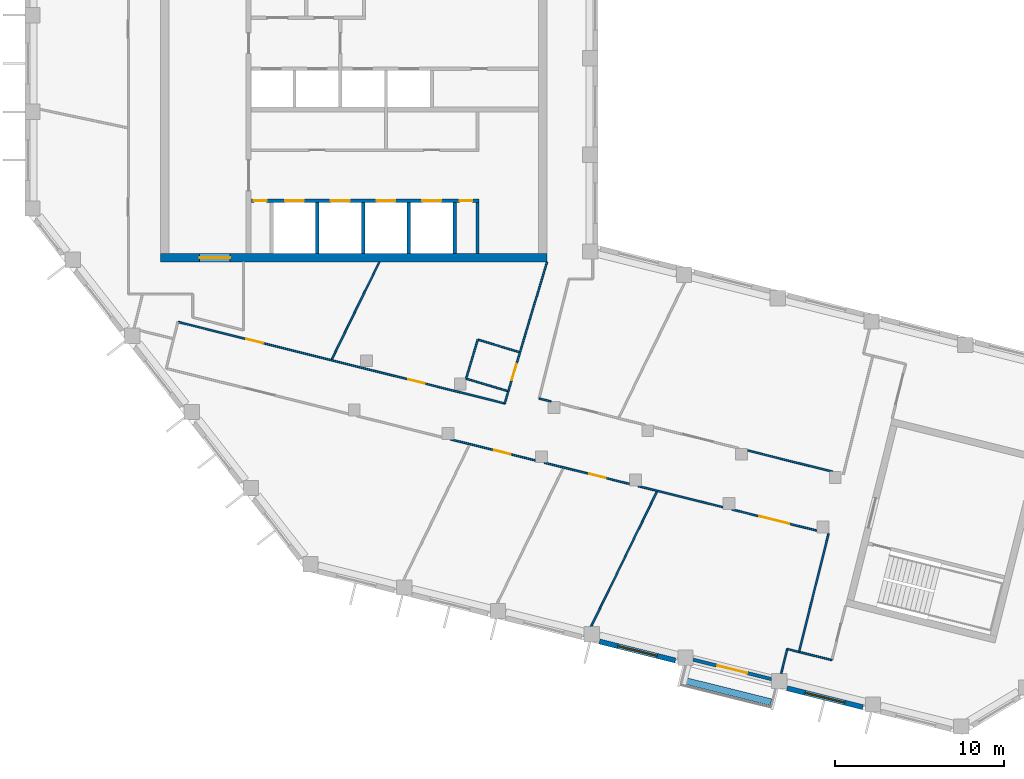
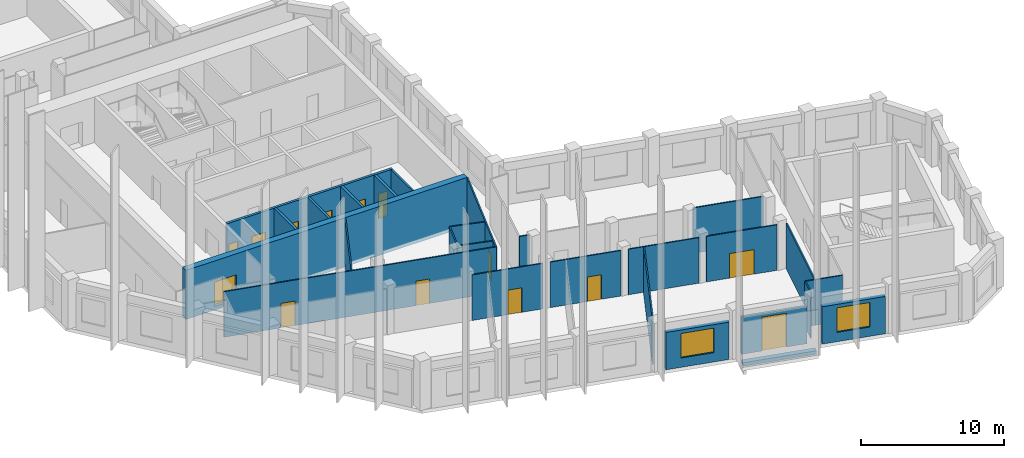
# One storey, part 3 of 8: 28 walls, 14 doors, 2 windows, 16 openings.
"""IFC4 building model written with IfcOpenShell, lengths in metres."""

from ifc_helpers import new_model, si_unit, direction, frame, frame_2d, origin, place, context, subcontext, project, spatial, rectangle, extrude, material, layer, layer_set, type_object, element, fill, save


model = new_model("IFC4")

# Units and contexts
model_context = context("Model", 3, precision=1e-05, world=origin(), true_north=direction((0.0, 1.0)))
body_context = subcontext(model_context, "Body", "Model", "MODEL_VIEW")
ifc_project = project(units=[si_unit("LENGTHUNIT", "METRE"), si_unit("AREAUNIT", "SQUARE_METRE"), si_unit("VOLUMEUNIT", "CUBIC_METRE"), si_unit("PLANEANGLEUNIT", "RADIAN"), si_unit("MASSUNIT", "GRAM", prefix="KILO")], contexts=[model_context])

# Site, building, storey
site_placement = place(None, origin())
site = spatial("IfcSite", under=ifc_project, at=site_placement, CompositionType="ELEMENT")
building_placement = place(site_placement, origin())
building = spatial("IfcBuilding", under=site, at=building_placement, Name="Meshkara Civic Tower", CompositionType="ELEMENT")
storey_placement = place(building_placement, frame((0.0, 0.0, 370.800048828125)))
storey = spatial("IfcBuildingStorey", under=building, at=storey_placement, Name="L85", CompositionType="ELEMENT", Elevation=370.800048828125)

# Wall
ifc_material_1 = material(Name="Blockwork", Category="masonry")
ifc_layer_1 = layer(ifc_material_1, 0.14990234375)
ifc_layer_set_1 = layer_set([ifc_layer_1], Name="Core partition 150")
wall_type_1 = type_object("IfcWallType", Name="Core partition 150", PredefinedType="PARTITIONING", material=ifc_layer_set_1)
wall_1_placement = place(storey_placement, frame((26.699951171875, 14.60009765625, 0.0), z_axis=(0.0, 0.0, 1.0), x_axis=(0.0, 1.0, 0.0)))
element("IfcWall", 1, at=wall_1_placement, inside=storey, type_object=wall_type_1, Name="L85-C025", PredefinedType="PARTITIONING", context=body_context, shape_type="SweptSolid", body=[
    extrude(rectangle(XDim=3.0, YDim=0.14990234375, at=frame_2d((1.5, 0.0))), origin(), (0.0, 0.0, 1.0), 3.89990234375),
])

# Wall, opening, door
ifc_material_2 = material(Name="Concrete C50", Category="concrete")
ifc_layer_2 = layer(ifc_material_2, 0.5)
ifc_layer_set_2 = layer_set([ifc_layer_2], Name="Core ring wall 500 C50")
wall_type_2 = type_object("IfcWallType", Name="Core ring wall 500 C50", PredefinedType="SHEAR", material=ifc_layer_set_2)
wall_2_placement = place(storey_placement, frame((8.0, 14.35009765625, -0.300048828125), z_axis=(0.0, 0.0, 1.0), x_axis=(1.0, 0.0, 0.0)))
wall_2 = element("IfcWall", 2, at=wall_2_placement, inside=storey, type_object=wall_type_2, Name="L85-C001", PredefinedType="SHEAR", context=body_context, shape_type="SweptSolid", body=[
    extrude(rectangle(XDim=22.800048828125, YDim=0.5, at=frame_2d((11.39990234375, 0.0))), origin(), (0.0, 0.0, 1.0), 4.199951171875),
])
opening_1_placement = place(wall_2_placement, frame((2.300048828125, 0.0, 0.300048828125)))
opening_1 = element("IfcOpeningElement", 3, at=opening_1_placement, cuts=wall_2, Name="Opening L85-K023", PredefinedType="OPENING", context=body_context, shape_type="SweptSolid", body=[
    extrude(rectangle(XDim=1.800048828125, YDim=2.10009765625, at=frame_2d((0.89990234375, 1.050048828125))), frame((0.0, 0.260009765625, 0.0), z_axis=(0.0, -1.0, 0.0), x_axis=(1.0, 0.0, 0.0)), (0.0, 0.0, 1.0), 0.52001953125),
])
ifc_material_3 = material(Name="Fire-rated door leaf in steel frame", Category="steel")
door_type_1 = type_object("IfcDoorType", Name="Core double door 1800 EI 60", OperationType="DOUBLE_DOOR_SINGLE_SWING", PredefinedType="DOOR", material=ifc_material_3)
door_1_placement = place(opening_1_placement, origin())
door_1 = element("IfcDoor", 4, at=door_1_placement, inside=storey, type_object=door_type_1, Name="L85-K023", OperationType="DOUBLE_DOOR_SINGLE_SWING", OverallHeight=2.10009765625, OverallWidth=1.800048828125, PredefinedType="DOOR", context=body_context, shape_type="SweptSolid", body=[
    extrude(rectangle(XDim=1.800048828125, YDim=2.10009765625, at=frame_2d((0.89990234375, 1.050048828125))), frame((0.0, 0.02490234375, 0.0), z_axis=(0.0, -1.0, 0.0), x_axis=(1.0, 0.0, 0.0)), (0.0, 0.0, 1.0), 0.050048828125),
])
fill(opening_1, door_1)

# Wall, openings, doors
ifc_material_4 = material(Name="Corridor wall 100")
ifc_layer_3 = layer(ifc_material_4, 0.10009765625)
ifc_layer_set_3 = layer_set([ifc_layer_3], Name="Corridor wall 100")
wall_type_3 = type_object("IfcWallType", Name="Corridor wall 100", PredefinedType="PARTITIONING", material=ifc_layer_set_3)
wall_3_placement = place(storey_placement, frame((9.01708984375, 10.55810546875, 0.0), z_axis=(0.0, 0.0, 1.0), x_axis=(0.970297621765, -0.241914293082, 0.0)))
wall_3 = element("IfcWall", 5, at=wall_3_placement, inside=storey, type_object=wall_type_3, Name="L85-W007", PredefinedType="PARTITIONING", context=body_context, shape_type="SweptSolid", body=[
    extrude(rectangle(XDim=19.87939453125, YDim=0.10009765625, at=frame_2d((9.939697265625, 0.0))), origin(), (0.0, 0.0, 1.0), 3.89990234375),
])
opening_2_placement = place(wall_3_placement, frame((4.179931640625, 0.0, 0.0)))
opening_2 = element("IfcOpeningElement", 6, at=opening_2_placement, cuts=wall_3, Name="Opening L85-D007", PredefinedType="OPENING", context=body_context, shape_type="SweptSolid", body=[
    extrude(rectangle(XDim=1.0, YDim=2.10009765625, at=frame_2d((0.5, 1.050048828125))), frame((0.0, 0.06005859375, 0.0), z_axis=(0.0, -1.0, 0.0), x_axis=(1.0, 0.0, 0.0)), (0.0, 0.0, 1.0), 0.1201171875),
])
opening_3_placement = place(wall_3_placement, frame((14.01806640625, 0.0, 0.0)))
opening_3 = element("IfcOpeningElement", 7, at=opening_3_placement, cuts=wall_3, Name="Opening L85-D009", PredefinedType="OPENING", context=body_context, shape_type="SweptSolid", body=[
    extrude(rectangle(XDim=1.0, YDim=2.10009765625, at=frame_2d((0.5, 1.050048828125))), frame((0.0, 0.06005859375, 0.0), z_axis=(0.0, -1.0, 0.0), x_axis=(1.0, 0.0, 0.0)), (0.0, 0.0, 1.0), 0.1201171875),
])
ifc_material_5 = material(Name="Door 1000 x 2100")
door_type_2 = type_object("IfcDoorType", Name="Door 1000 x 2100", OperationType="SINGLE_SWING_LEFT", PredefinedType="DOOR", material=ifc_material_5)
door_2_placement = place(opening_2_placement, origin())
door_2 = element("IfcDoor", 8, at=door_2_placement, inside=storey, type_object=door_type_2, Name="L85-D007", OperationType="SINGLE_SWING_RIGHT", OverallHeight=2.10009765625, OverallWidth=1.0, PredefinedType="DOOR", context=body_context, shape_type="SweptSolid", body=[
    extrude(rectangle(XDim=1.0, YDim=2.10009765625, at=frame_2d((0.5, 1.050048828125))), frame((0.0, 0.02490234375, 0.0), z_axis=(0.0, -1.0, 0.0), x_axis=(1.0, 0.0, 0.0)), (0.0, 0.0, 1.0), 0.050048828125),
])
fill(opening_2, door_2)
door_3_placement = place(opening_3_placement, origin())
door_3 = element("IfcDoor", 9, at=door_3_placement, inside=storey, type_object=door_type_2, Name="L85-D009", OperationType="SINGLE_SWING_LEFT", OverallHeight=2.10009765625, OverallWidth=1.0, PredefinedType="DOOR", context=body_context, shape_type="SweptSolid", body=[
    extrude(rectangle(XDim=1.0, YDim=2.10009765625, at=frame_2d((0.5, 1.050048828125))), frame((0.0, 0.02490234375, 0.0), z_axis=(0.0, -1.0, 0.0), x_axis=(1.0, 0.0, 0.0)), (0.0, 0.0, 1.0), 0.050048828125),
])
fill(opening_3, door_3)

# Wall, opening, door
wall_4_placement = place(storey_placement, frame((25.117919921875, 3.631103515625, 0.0), z_axis=(0.0, 0.0, 1.0), x_axis=(0.970281210621, -0.241980107272, 0.0)))
wall_4 = element("IfcWall", 10, at=wall_4_placement, inside=storey, type_object=wall_type_3, Name="L85-W019", PredefinedType="PARTITIONING", context=body_context, shape_type="SweptSolid", body=[
    extrude(rectangle(XDim=5.170654296875, YDim=0.10009765625, at=frame_2d((2.58544921875, 0.0))), origin(), (0.0, 0.0, 1.0), 3.89990234375),
])
opening_4_placement = place(wall_4_placement, frame((2.62890625, 0.0, 0.0)))
opening_4 = element("IfcOpeningElement", 11, at=opening_4_placement, cuts=wall_4, Name="Opening L85-D003", PredefinedType="OPENING", context=body_context, shape_type="SweptSolid", body=[
    extrude(rectangle(XDim=1.0, YDim=2.10009765625, at=frame_2d((0.5, 1.050048828125))), frame((0.0, 0.06005859375, 0.0), z_axis=(0.0, -1.0, 0.0), x_axis=(1.0, 0.0, 0.0)), (0.0, 0.0, 1.0), 0.1201171875),
])
door_4_placement = place(opening_4_placement, origin())
door_4 = element("IfcDoor", 12, at=door_4_placement, inside=storey, type_object=door_type_2, Name="L85-D003", OperationType="SINGLE_SWING_RIGHT", OverallHeight=2.10009765625, OverallWidth=1.0, PredefinedType="DOOR", context=body_context, shape_type="SweptSolid", body=[
    extrude(rectangle(XDim=1.0, YDim=2.10009765625, at=frame_2d((0.5, 1.050048828125))), frame((0.0, 0.02490234375, 0.0), z_axis=(0.0, -1.0, 0.0), x_axis=(1.0, 0.0, 0.0)), (0.0, 0.0, 1.0), 0.050048828125),
])
fill(opening_4, door_4)

wall_5_placement = place(storey_placement, frame((28.305908203125, 5.7490234375, 0.0), z_axis=(0.0, 0.0, 1.0), x_axis=(0.286170650389, 0.958178667502, 0.0)))
wall_5 = element("IfcWall", 13, at=wall_5_placement, inside=storey, type_object=wall_type_3, Name="L85-W020", PredefinedType="PARTITIONING", context=body_context, shape_type="SweptSolid", body=[
    extrude(rectangle(XDim=8.715576171875, YDim=0.10009765625, at=frame_2d((4.35791015625, 0.0))), origin(), (0.0, 0.0, 1.0), 3.89990234375),
])
opening_5_placement = place(wall_5_placement, frame((1.429931640625, 0.0, 0.0)))
opening_5 = element("IfcOpeningElement", 14, at=opening_5_placement, cuts=wall_5, Name="Opening L85-D010", PredefinedType="OPENING", context=body_context, shape_type="SweptSolid", body=[
    extrude(rectangle(XDim=1.0, YDim=2.10009765625, at=frame_2d((0.5, 1.050048828125))), frame((0.0, 0.06005859375, 0.0), z_axis=(0.0, -1.0, 0.0), x_axis=(1.0, 0.0, 0.0)), (0.0, 0.0, 1.0), 0.1201171875),
])
door_5_placement = place(opening_5_placement, origin())
door_5 = element("IfcDoor", 15, at=door_5_placement, inside=storey, type_object=door_type_2, Name="L85-D010", OperationType="SINGLE_SWING_LEFT", OverallHeight=2.10009765625, OverallWidth=1.0, PredefinedType="DOOR", context=body_context, shape_type="SweptSolid", body=[
    extrude(rectangle(XDim=1.0, YDim=2.10009765625, at=frame_2d((0.5, 1.050048828125))), frame((0.0, 0.02490234375, 0.0), z_axis=(0.0, -1.0, 0.0), x_axis=(1.0, 0.0, 0.0)), (0.0, 0.0, 1.0), 0.050048828125),
])
fill(opening_5, door_5)

wall_6_placement = place(storey_placement, frame((30.64892578125, 2.251953125, 0.0), z_axis=(0.0, 0.0, 1.0), x_axis=(0.970292295429, -0.241935655561, 0.0)))
wall_6 = element("IfcWall", 16, at=wall_6_placement, inside=storey, type_object=wall_type_3, Name="L85-W022", PredefinedType="PARTITIONING", context=body_context, shape_type="SweptSolid", body=[
    extrude(rectangle(XDim=5.170654296875, YDim=0.10009765625, at=frame_2d((2.58544921875, 0.0))), origin(), (0.0, 0.0, 1.0), 3.89990234375),
])
opening_6_placement = place(wall_6_placement, frame((2.72900390625, 0.0, 0.0)))
opening_6 = element("IfcOpeningElement", 17, at=opening_6_placement, cuts=wall_6, Name="Opening L85-D005", PredefinedType="OPENING", context=body_context, shape_type="SweptSolid", body=[
    extrude(rectangle(XDim=1.0, YDim=2.10009765625, at=frame_2d((0.5, 1.050048828125))), frame((0.0, 0.06005859375, 0.0), z_axis=(0.0, -1.0, 0.0), x_axis=(1.0, 0.0, 0.0)), (0.0, 0.0, 1.0), 0.1201171875),
])
door_6_placement = place(opening_6_placement, origin())
door_6 = element("IfcDoor", 18, at=door_6_placement, inside=storey, type_object=door_type_2, Name="L85-D005", OperationType="SINGLE_SWING_LEFT", OverallHeight=2.10009765625, OverallWidth=1.0, PredefinedType="DOOR", context=body_context, shape_type="SweptSolid", body=[
    extrude(rectangle(XDim=1.0, YDim=2.10009765625, at=frame_2d((0.5, 1.050048828125))), frame((0.0, 0.02490234375, 0.0), z_axis=(0.0, -1.0, 0.0), x_axis=(1.0, 0.0, 0.0)), (0.0, 0.0, 1.0), 0.050048828125),
])
fill(opening_6, door_6)

# Walls
wall_7_placement = place(storey_placement, frame((31.0458984375, 5.863037109375, 0.0), z_axis=(0.0, 0.0, 1.0), x_axis=(-0.970299315901, 0.241907497946, 0.0)))
element("IfcWall", 19, at=wall_7_placement, inside=storey, type_object=wall_type_3, Name="L85-W024", PredefinedType="PARTITIONING", context=body_context, shape_type="SweptSolid", body=[
    extrude(rectangle(XDim=0.731689453125, YDim=0.10009765625, at=frame_2d((0.36572265625, 0.0))), origin(), (0.0, 0.0, 1.0), 3.89990234375),
])
wall_8_placement = place(storey_placement, frame((36.179931640625, 0.873046875, 0.0), z_axis=(0.0, 0.0, 1.0), x_axis=(0.970325574738, -0.241802148479, 0.0)))
element("IfcWall", 20, at=wall_8_placement, inside=storey, type_object=wall_type_3, Name="L85-W028", PredefinedType="PARTITIONING", context=body_context, shape_type="SweptSolid", body=[
    extrude(rectangle(XDim=5.16943359375, YDim=0.10009765625, at=frame_2d((2.584716796875, 0.0))), origin(), (0.0, 0.0, 1.0), 3.89990234375),
])

# Wall, opening, door
wall_9_placement = place(storey_placement, frame((41.7119140625, -0.506103515625, 0.0), z_axis=(0.0, 0.0, 1.0), x_axis=(0.970314526579, -0.241846479217, 0.0)))
wall_9 = element("IfcWall", 21, at=wall_9_placement, inside=storey, type_object=wall_type_3, Name="L85-W029", PredefinedType="PARTITIONING", context=body_context, shape_type="SweptSolid", body=[
    extrude(rectangle(XDim=5.16845703125, YDim=0.10009765625, at=frame_2d((2.584228515625, 0.0))), origin(), (0.0, 0.0, 1.0), 3.89990234375),
])
opening_7_placement = place(wall_9_placement, frame((1.679931640625, 0.0, 0.0)))
opening_7 = element("IfcOpeningElement", 22, at=opening_7_placement, cuts=wall_9, Name="Opening L85-D002", PredefinedType="OPENING", context=body_context, shape_type="SweptSolid", body=[
    extrude(rectangle(XDim=1.800048828125, YDim=2.10009765625, at=frame_2d((0.89990234375, 1.050048828125))), frame((0.0, 0.06005859375, 0.0), z_axis=(0.0, -1.0, 0.0), x_axis=(1.0, 0.0, 0.0)), (0.0, 0.0, 1.0), 0.1201171875),
])
ifc_material_6 = material(Name="Door pair 1800 x 2100")
door_type_3 = type_object("IfcDoorType", Name="Door pair 1800 x 2100", OperationType="SINGLE_SWING_LEFT", PredefinedType="DOOR", material=ifc_material_6)
door_7_placement = place(opening_7_placement, origin())
door_7 = element("IfcDoor", 23, at=door_7_placement, inside=storey, type_object=door_type_3, Name="L85-D002", OperationType="DOUBLE_DOOR_SINGLE_SWING", OverallHeight=2.10009765625, OverallWidth=1.800048828125, PredefinedType="DOOR", context=body_context, shape_type="SweptSolid", body=[
    extrude(rectangle(XDim=1.800048828125, YDim=2.10009765625, at=frame_2d((0.89990234375, 1.050048828125))), frame((0.0, 0.02490234375, 0.0), z_axis=(0.0, -1.0, 0.0), x_axis=(1.0, 0.0, 0.0)), (0.0, 0.0, 1.0), 0.050048828125),
])
fill(opening_7, door_7)

# Walls
wall_10_placement = place(storey_placement, frame((45.669921875, -8.9130859375, 0.0), z_axis=(0.0, 0.0, 1.0), x_axis=(0.970307382734, -0.241875139301, 0.0)))
element("IfcWall", 24, at=wall_10_placement, inside=storey, type_object=wall_type_3, Name="L85-W031", PredefinedType="PARTITIONING", context=body_context, shape_type="SweptSolid", body=[
    extrude(rectangle(XDim=2.00048828125, YDim=0.10009765625, at=frame_2d((1.000244140625, 0.0))), origin(), (0.0, 0.0, 1.0), 3.89990234375),
])
wall_11_placement = place(storey_placement, frame((47.412109375, -1.927001953125, 0.0), z_axis=(0.0, 0.0, 1.0), x_axis=(-0.241969116819, -0.970283951483, 0.0)))
element("IfcWall", 25, at=wall_11_placement, inside=storey, type_object=wall_type_3, Name="L85-W032", PredefinedType="PARTITIONING", context=body_context, shape_type="SweptSolid", body=[
    extrude(rectangle(XDim=7.199951171875, YDim=0.10009765625, at=frame_2d((3.60009765625, 0.0))), origin(), (0.0, 0.0, 1.0), 3.89990234375),
])
wall_12_placement = place(storey_placement, frame((47.64111328125, 1.72607421875, 0.0), z_axis=(0.0, 0.0, 1.0), x_axis=(-0.97031439286, 0.241847015712, 0.0)))
element("IfcWall", 26, at=wall_12_placement, inside=storey, type_object=wall_type_3, Name="L85-W034", PredefinedType="PARTITIONING", context=body_context, shape_type="SweptSolid", body=[
    extrude(rectangle(XDim=5.172607421875, YDim=0.10009765625, at=frame_2d((2.58642578125, 0.0))), origin(), (0.0, 0.0, 1.0), 3.89990234375),
])

# Wall, opening, window
ifc_material_7 = material(Name="Insulated infill panel with bronze anodised aluminium cladding", Category="aluminium")
ifc_layer_4 = layer(ifc_material_7, 0.300048828125)
ifc_layer_set_4 = layer_set([ifc_layer_4], Name="EXTERNAL INFILL WALL 300")
wall_type_4 = type_object("IfcWallType", Name="EXTERNAL INFILL WALL 300", PredefinedType="SOLIDWALL", material=ifc_layer_set_4)
wall_13_placement = place(storey_placement, frame((33.89990234375, -8.298095703125, 0.0), z_axis=(0.0, 0.0, 1.0), x_axis=(0.970298093093, -0.241912402618, 0.0)))
wall_13 = element("IfcWall", 27, at=wall_13_placement, inside=storey, type_object=wall_type_4, Name="External wall", PredefinedType="SOLIDWALL", context=body_context, shape_type="SweptSolid", body=[
    extrude(rectangle(XDim=4.609130859375, YDim=0.300048828125, at=frame_2d((2.3046875, 0.0))), origin(), (0.0, 0.0, 1.0), 3.199951171875),
])
opening_8_placement = place(wall_13_placement, frame((1.10498046875, 0.0, 0.800048828125)))
opening_8 = element("IfcOpeningElement", 28, at=opening_8_placement, cuts=wall_13, Name="Opening W7", PredefinedType="OPENING", context=body_context, shape_type="SweptSolid", body=[
    extrude(rectangle(XDim=2.39990234375, YDim=2.10009765625, at=frame_2d((1.199951171875, 1.050048828125))), frame((0.0, 0.159912109375, 0.0), z_axis=(0.0, -1.0, 0.0), x_axis=(1.0, 0.0, 0.0)), (0.0, 0.0, 1.0), 0.320068359375),
])
ifc_material_8 = material(Name="Tinted double glazing", Category="glass")
window_type = type_object("IfcWindowType", Name="WINDOW 2400x2100", PartitioningType="DOUBLE_PANEL_VERTICAL", PredefinedType="WINDOW", material=ifc_material_8)
window_1_placement = place(opening_8_placement, origin())
window_1 = element("IfcWindow", 29, at=window_1_placement, inside=storey, type_object=window_type, Name="Window", OverallHeight=2.10009765625, OverallWidth=2.39990234375, PartitioningType="DOUBLE_PANEL_VERTICAL", PredefinedType="WINDOW", context=body_context, shape_type="SweptSolid", body=[
    extrude(rectangle(XDim=2.39990234375, YDim=2.10009765625, at=frame_2d((1.199951171875, 1.050048828125))), frame((0.0, 0.030029296875, 0.0), z_axis=(0.0, -1.0, 0.0), x_axis=(1.0, 0.0, 0.0)), (0.0, 0.0, 1.0), 0.06005859375),
])
fill(opening_8, window_1)

wall_14_placement = place(storey_placement, frame((44.9609375, -11.055908203125, 0.0), z_axis=(0.0, 0.0, 1.0), x_axis=(0.970298093093, -0.241912402618, 0.0)))
wall_14 = element("IfcWall", 30, at=wall_14_placement, inside=storey, type_object=wall_type_4, Name="External wall", PredefinedType="SOLIDWALL", context=body_context, shape_type="SweptSolid", body=[
    extrude(rectangle(XDim=4.609130859375, YDim=0.300048828125, at=frame_2d((2.3046875, 0.0))), origin(), (0.0, 0.0, 1.0), 3.199951171875),
])
opening_9_placement = place(wall_14_placement, frame((1.10498046875, 0.0, 0.800048828125)))
opening_9 = element("IfcOpeningElement", 31, at=opening_9_placement, cuts=wall_14, Name="Opening W7", PredefinedType="OPENING", context=body_context, shape_type="SweptSolid", body=[
    extrude(rectangle(XDim=2.39990234375, YDim=2.10009765625, at=frame_2d((1.199951171875, 1.050048828125))), frame((0.0, 0.159912109375, 0.0), z_axis=(0.0, -1.0, 0.0), x_axis=(1.0, 0.0, 0.0)), (0.0, 0.0, 1.0), 0.320068359375),
])
window_2_placement = place(opening_9_placement, origin())
window_2 = element("IfcWindow", 32, at=window_2_placement, inside=storey, type_object=window_type, Name="Window", OverallHeight=2.10009765625, OverallWidth=2.39990234375, PartitioningType="DOUBLE_PANEL_VERTICAL", PredefinedType="WINDOW", context=body_context, shape_type="SweptSolid", body=[
    extrude(rectangle(XDim=2.39990234375, YDim=2.10009765625, at=frame_2d((1.199951171875, 1.050048828125))), frame((0.0, 0.030029296875, 0.0), z_axis=(0.0, -1.0, 0.0), x_axis=(1.0, 0.0, 0.0)), (0.0, 0.0, 1.0), 0.06005859375),
])
fill(opening_9, window_2)

# Wall, opening, door
ifc_material_9 = material(Name="Insulated infill panel with bronze anodised aluminium cladding", Category="aluminium")
ifc_layer_5 = layer(ifc_material_9, 0.199951171875)
ifc_layer_set_5 = layer_set([ifc_layer_5], Name="LOGGIA BACK WALL 200")
wall_type_5 = type_object("IfcWallType", Name="LOGGIA BACK WALL 200", PredefinedType="SOLIDWALL", material=ifc_layer_set_5)
wall_15_placement = place(storey_placement, frame((39.424072265625, -9.365966796875, 0.0), z_axis=(0.0, 0.0, 1.0), x_axis=(0.9703108125, -0.241861380019, 0.0)))
wall_15 = element("IfcWall", 33, at=wall_15_placement, inside=storey, type_object=wall_type_5, Name="Loggia wall", PredefinedType="SOLIDWALL", context=body_context, shape_type="SweptSolid", body=[
    extrude(rectangle(XDim=4.771484375, YDim=0.199951171875, at=frame_2d((2.3857421875, 0.0))), origin(), (0.0, 0.0, 1.0), 3.199951171875),
])
opening_10_placement = place(wall_15_placement, frame((1.485107421875, 0.0, 0.0)))
opening_10 = element("IfcOpeningElement", 34, at=opening_10_placement, cuts=wall_15, Name="Opening L85-L002", PredefinedType="OPENING", context=body_context, shape_type="SweptSolid", body=[
    extrude(rectangle(XDim=1.800048828125, YDim=2.89990234375, at=frame_2d((0.89990234375, 1.449951171875))), frame((0.0, 0.10986328125, 0.0), z_axis=(0.0, -1.0, 0.0), x_axis=(1.0, 0.0, 0.0)), (0.0, 0.0, 1.0), 0.219970703125),
])
ifc_material_10 = material(Name="Tinted double glazing", Category="glass")
door_type_4 = type_object("IfcDoorType", Name="LOGGIA DOOR 1800x2900", OperationType="DOUBLE_DOOR_SINGLE_SWING", PredefinedType="DOOR", material=ifc_material_10)
door_8_placement = place(opening_10_placement, origin())
door_8 = element("IfcDoor", 35, at=door_8_placement, inside=storey, type_object=door_type_4, Name="L85-L002", OperationType="DOUBLE_DOOR_SINGLE_SWING", OverallHeight=2.89990234375, OverallWidth=1.800048828125, PredefinedType="DOOR", context=body_context, shape_type="SweptSolid", body=[
    extrude(rectangle(XDim=1.800048828125, YDim=2.89990234375, at=frame_2d((0.89990234375, 1.449951171875))), frame((0.0, 0.02490234375, 0.0), z_axis=(0.0, -1.0, 0.0), x_axis=(1.0, 0.0, 0.0)), (0.0, 0.0, 1.0), 0.050048828125),
])
fill(opening_10, door_8)

# Walls
ifc_material_11 = material(Name="Concrete C40", Category="concrete")
ifc_layer_6 = layer(ifc_material_11, 0.39990234375)
ifc_layer_set_6 = layer_set([ifc_layer_6], Name="PLANTER TRAY")
wall_type_6 = type_object("IfcWallType", Name="PLANTER TRAY", PredefinedType="SOLIDWALL", material=ifc_layer_set_6)
wall_16_placement = place(storey_placement, frame((38.81689453125, -10.5849609375, 0.0), z_axis=(0.0, 0.0, 1.0), x_axis=(0.970270982915, -0.242021114189, 0.0)))
element("IfcWall", 36, at=wall_16_placement, inside=storey, type_object=wall_type_6, Name="Planter", PredefinedType="SOLIDWALL", context=body_context, shape_type="SweptSolid", body=[
    extrude(rectangle(XDim=5.359619140625, YDim=0.39990234375, at=frame_2d((2.6796875, 0.0))), origin(), (0.0, 0.0, 1.0), 0.300048828125),
])
ifc_material_12 = material(Name="Partition 100")
ifc_layer_7 = layer(ifc_material_12, 0.10009765625)
ifc_layer_set_7 = layer_set([ifc_layer_7], Name="Partition 100")
wall_type_7 = type_object("IfcWallType", Name="Partition 100", PredefinedType="PARTITIONING", material=ifc_layer_set_7)
wall_17_placement = place(storey_placement, frame((18.10498046875, 8.35400390625, 0.0), z_axis=(0.0, 0.0, 1.0), x_axis=(0.438424384383, 0.898768078638, 0.0)))
element("IfcWall", 37, at=wall_17_placement, inside=storey, type_object=wall_type_7, Name="L85-W044", PredefinedType="PARTITIONING", context=body_context, shape_type="SweptSolid", body=[
    extrude(rectangle(XDim=6.393310546875, YDim=0.10009765625, at=frame_2d((3.19677734375, 0.0))), origin(), (0.0, 0.0, 1.0), 3.89990234375),
])
wall_18_placement = place(storey_placement, frame((26.030029296875, 7.214111328125, 0.0), z_axis=(0.0, 0.0, 1.0), x_axis=(0.286077381682, 0.958206518288, 0.0)))
element("IfcWall", 38, at=wall_18_placement, inside=storey, type_object=wall_type_7, Name="L85-W046", PredefinedType="PARTITIONING", context=body_context, shape_type="SweptSolid", body=[
    extrude(rectangle(XDim=2.398193359375, YDim=0.10009765625, at=frame_2d((1.19921875, 0.0))), origin(), (0.0, 0.0, 1.0), 3.89990234375),
])
wall_19_placement = place(storey_placement, frame((26.716064453125, 9.511962890625, 0.0), z_axis=(0.0, 0.0, 1.0), x_axis=(0.958168093169, -0.286206053804, 0.0)))
element("IfcWall", 39, at=wall_19_placement, inside=storey, type_object=wall_type_7, Name="L85-W047", PredefinedType="PARTITIONING", context=body_context, shape_type="SweptSolid", body=[
    extrude(rectangle(XDim=2.550537109375, YDim=0.10009765625, at=frame_2d((1.275390625, 0.0))), origin(), (0.0, 0.0, 1.0), 3.89990234375),
])
wall_20_placement = place(storey_placement, frame((28.472900390625, 6.48193359375, 0.0), z_axis=(0.0, 0.0, 1.0), x_axis=(-0.958136712348, 0.286311090338, 0.0)))
element("IfcWall", 40, at=wall_20_placement, inside=storey, type_object=wall_type_7, Name="L85-W049", PredefinedType="PARTITIONING", context=body_context, shape_type="SweptSolid", body=[
    extrude(rectangle(XDim=2.549560546875, YDim=0.10009765625, at=frame_2d((1.27490234375, 0.0))), origin(), (0.0, 0.0, 1.0), 3.89990234375),
])
wall_21_placement = place(storey_placement, frame((33.39697265625, -7.425048828125, 0.0), z_axis=(0.0, 0.0, 1.0), x_axis=(0.43833946726, 0.898809496747, 0.0)))
element("IfcWall", 41, at=wall_21_placement, inside=storey, type_object=wall_type_7, Name="L85-W050", PredefinedType="PARTITIONING", context=body_context, shape_type="SweptSolid", body=[
    extrude(rectangle(XDim=8.858642578125, YDim=0.10009765625, at=frame_2d((4.42919921875, 0.0))), origin(), (0.0, 0.0, 1.0), 3.89990234375),
])
wall_22_placement = place(storey_placement, frame((44.616943359375, -10.18310546875, 0.0), z_axis=(0.0, 0.0, 1.0), x_axis=(0.242110761362, 0.970248617228, 0.0)))
element("IfcWall", 42, at=wall_22_placement, inside=storey, type_object=wall_type_7, Name="L85-W052", PredefinedType="PARTITIONING", context=body_context, shape_type="SweptSolid", body=[
    extrude(rectangle(XDim=1.4873046875, YDim=0.10009765625, at=frame_2d((0.74365234375, 0.0))), origin(), (0.0, 0.0, 1.0), 3.89990234375),
])
wall_23_placement = place(storey_placement, frame((44.97705078125, -8.739990234375, 0.0), z_axis=(0.0, 0.0, 1.0), x_axis=(0.970202439735, -0.242295740641, 0.0)))
element("IfcWall", 43, at=wall_23_placement, inside=storey, type_object=wall_type_7, Name="L85-W053", PredefinedType="PARTITIONING", context=body_context, shape_type="SweptSolid", body=[
    extrude(rectangle(XDim=0.718505859375, YDim=0.10009765625, at=frame_2d((0.359375, 0.0))), origin(), (0.0, 0.0, 1.0), 3.89990234375),
])

# Wall, openings, doors
ifc_material_13 = material(Name="Concrete C40/50", Category="concrete")
ifc_layer_8 = layer(ifc_material_13, 0.199951171875)
ifc_layer_set_8 = layer_set([ifc_layer_8], Name="Shaft wall 200 C40/50")
wall_type_8 = type_object("IfcWallType", Name="Shaft wall 200 C40/50", PredefinedType="SOLIDWALL", material=ifc_layer_set_8)
wall_24_placement = place(storey_placement, frame((13.35009765625, 17.699951171875, 0.0), z_axis=(0.0, 0.0, 1.0), x_axis=(1.0, 0.0, 0.0)))
wall_24 = element("IfcWall", 44, at=wall_24_placement, inside=storey, type_object=wall_type_8, Name="L85-C005", PredefinedType="SOLIDWALL", context=body_context, shape_type="SweptSolid", body=[
    extrude(rectangle(XDim=13.4248046875, YDim=0.199951171875, at=frame_2d((6.71240234375, 0.0))), origin(), (0.0, 0.0, 1.0), 3.89990234375),
])
opening_11_placement = place(wall_24_placement, frame((2.0, 0.0, 0.0)))
opening_11 = element("IfcOpeningElement", 45, at=opening_11_placement, cuts=wall_24, Name="Opening L85-K001", PredefinedType="OPENING", context=body_context, shape_type="SweptSolid", body=[
    extrude(rectangle(XDim=1.10009765625, YDim=2.10009765625, at=frame_2d((0.550048828125, 1.050048828125))), frame((0.0, 0.10986328125, 0.0), z_axis=(0.0, -1.0, 0.0), x_axis=(1.0, 0.0, 0.0)), (0.0, 0.0, 1.0), 0.219970703125),
])
opening_12_placement = place(wall_24_placement, frame((4.699951171875, 0.0, 0.0)))
opening_12 = element("IfcOpeningElement", 46, at=opening_12_placement, cuts=wall_24, Name="Opening L85-K002", PredefinedType="OPENING", context=body_context, shape_type="SweptSolid", body=[
    extrude(rectangle(XDim=1.10009765625, YDim=2.10009765625, at=frame_2d((0.550048828125, 1.050048828125))), frame((0.0, 0.10986328125, 0.0), z_axis=(0.0, -1.0, 0.0), x_axis=(1.0, 0.0, 0.0)), (0.0, 0.0, 1.0), 0.219970703125),
])
opening_13_placement = place(wall_24_placement, frame((7.39990234375, 0.0, 0.0)))
opening_13 = element("IfcOpeningElement", 47, at=opening_13_placement, cuts=wall_24, Name="Opening L85-K003", PredefinedType="OPENING", context=body_context, shape_type="SweptSolid", body=[
    extrude(rectangle(XDim=1.10009765625, YDim=2.10009765625, at=frame_2d((0.550048828125, 1.050048828125))), frame((0.0, 0.10986328125, 0.0), z_axis=(0.0, -1.0, 0.0), x_axis=(1.0, 0.0, 0.0)), (0.0, 0.0, 1.0), 0.219970703125),
])
opening_14_placement = place(wall_24_placement, frame((10.10009765625, 0.0, 0.0)))
opening_14 = element("IfcOpeningElement", 48, at=opening_14_placement, cuts=wall_24, Name="Opening L85-K004", PredefinedType="OPENING", context=body_context, shape_type="SweptSolid", body=[
    extrude(rectangle(XDim=1.10009765625, YDim=2.10009765625, at=frame_2d((0.550048828125, 1.050048828125))), frame((0.0, 0.10986328125, 0.0), z_axis=(0.0, -1.0, 0.0), x_axis=(1.0, 0.0, 0.0)), (0.0, 0.0, 1.0), 0.219970703125),
])
opening_15_placement = place(wall_24_placement, frame((0.14990234375, 0.0, 0.0)))
opening_15 = element("IfcOpeningElement", 49, at=opening_15_placement, cuts=wall_24, Name="Opening L85-K009", PredefinedType="OPENING", context=body_context, shape_type="SweptSolid", body=[
    extrude(rectangle(XDim=0.75, YDim=2.10009765625, at=frame_2d((0.375, 1.050048828125))), frame((0.0, 0.10986328125, 0.0), z_axis=(0.0, -1.0, 0.0), x_axis=(1.0, 0.0, 0.0)), (0.0, 0.0, 1.0), 0.219970703125),
])
opening_16_placement = place(wall_24_placement, frame((12.300048828125, 0.0, 0.0)))
opening_16 = element("IfcOpeningElement", 50, at=opening_16_placement, cuts=wall_24, Name="Opening L85-K010", PredefinedType="OPENING", context=body_context, shape_type="SweptSolid", body=[
    extrude(rectangle(XDim=0.75, YDim=2.10009765625, at=frame_2d((0.375, 1.050048828125))), frame((0.0, 0.10986328125, 0.0), z_axis=(0.0, -1.0, 0.0), x_axis=(1.0, 0.0, 0.0)), (0.0, 0.0, 1.0), 0.219970703125),
])
ifc_material_14 = material(Name="Timber door leaf in steel frame", Category="steel")
door_type_5 = type_object("IfcDoorType", Name="Core room door 750", OperationType="SINGLE_SWING_LEFT", PredefinedType="DOOR", material=ifc_material_14)
door_9_placement = place(opening_15_placement, origin())
door_9 = element("IfcDoor", 51, at=door_9_placement, inside=storey, type_object=door_type_5, Name="L85-K009", OperationType="SINGLE_SWING_RIGHT", OverallHeight=2.10009765625, OverallWidth=0.75, PredefinedType="DOOR", context=body_context, shape_type="SweptSolid", body=[
    extrude(rectangle(XDim=0.75, YDim=2.10009765625, at=frame_2d((0.375, 1.050048828125))), frame((0.0, 0.02490234375, 0.0), z_axis=(0.0, -1.0, 0.0), x_axis=(1.0, 0.0, 0.0)), (0.0, 0.0, 1.0), 0.050048828125),
])
fill(opening_15, door_9)
door_10_placement = place(opening_16_placement, origin())
door_10 = element("IfcDoor", 52, at=door_10_placement, inside=storey, type_object=door_type_5, Name="L85-K010", OperationType="SINGLE_SWING_RIGHT", OverallHeight=2.10009765625, OverallWidth=0.75, PredefinedType="DOOR", context=body_context, shape_type="SweptSolid", body=[
    extrude(rectangle(XDim=0.75, YDim=2.10009765625, at=frame_2d((0.375, 1.050048828125))), frame((0.0, 0.02490234375, 0.0), z_axis=(0.0, -1.0, 0.0), x_axis=(1.0, 0.0, 0.0)), (0.0, 0.0, 1.0), 0.050048828125),
])
fill(opening_16, door_10)
ifc_material_15 = material(Name="Stainless steel landing door", Category="steel")
door_type_6 = type_object("IfcDoorType", Name="Lift landing door 1100", OperationType="SLIDING_TO_LEFT", PredefinedType="DOOR", material=ifc_material_15)
door_11_placement = place(opening_11_placement, origin())
door_11 = element("IfcDoor", 53, at=door_11_placement, inside=storey, type_object=door_type_6, Name="L85-K001", OperationType="SLIDING_TO_LEFT", OverallHeight=2.10009765625, OverallWidth=1.10009765625, PredefinedType="DOOR", context=body_context, shape_type="SweptSolid", body=[
    extrude(rectangle(XDim=1.10009765625, YDim=2.10009765625, at=frame_2d((0.550048828125, 1.050048828125))), frame((0.0, 0.02490234375, 0.0), z_axis=(0.0, -1.0, 0.0), x_axis=(1.0, 0.0, 0.0)), (0.0, 0.0, 1.0), 0.050048828125),
])
fill(opening_11, door_11)
door_12_placement = place(opening_12_placement, origin())
door_12 = element("IfcDoor", 54, at=door_12_placement, inside=storey, type_object=door_type_6, Name="L85-K002", OperationType="SLIDING_TO_LEFT", OverallHeight=2.10009765625, OverallWidth=1.10009765625, PredefinedType="DOOR", context=body_context, shape_type="SweptSolid", body=[
    extrude(rectangle(XDim=1.10009765625, YDim=2.10009765625, at=frame_2d((0.550048828125, 1.050048828125))), frame((0.0, 0.02490234375, 0.0), z_axis=(0.0, -1.0, 0.0), x_axis=(1.0, 0.0, 0.0)), (0.0, 0.0, 1.0), 0.050048828125),
])
fill(opening_12, door_12)
door_13_placement = place(opening_13_placement, origin())
door_13 = element("IfcDoor", 55, at=door_13_placement, inside=storey, type_object=door_type_6, Name="L85-K003", OperationType="SLIDING_TO_LEFT", OverallHeight=2.10009765625, OverallWidth=1.10009765625, PredefinedType="DOOR", context=body_context, shape_type="SweptSolid", body=[
    extrude(rectangle(XDim=1.10009765625, YDim=2.10009765625, at=frame_2d((0.550048828125, 1.050048828125))), frame((0.0, 0.02490234375, 0.0), z_axis=(0.0, -1.0, 0.0), x_axis=(1.0, 0.0, 0.0)), (0.0, 0.0, 1.0), 0.050048828125),
])
fill(opening_13, door_13)
door_14_placement = place(opening_14_placement, origin())
door_14 = element("IfcDoor", 56, at=door_14_placement, inside=storey, type_object=door_type_6, Name="L85-K004", OperationType="SLIDING_TO_LEFT", OverallHeight=2.10009765625, OverallWidth=1.10009765625, PredefinedType="DOOR", context=body_context, shape_type="SweptSolid", body=[
    extrude(rectangle(XDim=1.10009765625, YDim=2.10009765625, at=frame_2d((0.550048828125, 1.050048828125))), frame((0.0, 0.02490234375, 0.0), z_axis=(0.0, -1.0, 0.0), x_axis=(1.0, 0.0, 0.0)), (0.0, 0.0, 1.0), 0.050048828125),
])
fill(opening_14, door_14)

# Walls
for number, where, z_axis, x_axis, name in (
    (57, (17.25, 14.60009765625, 0.0), (0.0, 0.0, 1.0), (0.0, 1.0, 0.0), "L85-C015"),
    (58, (19.949951171875, 14.60009765625, 0.0), (0.0, 0.0, 1.0), (0.0, 1.0, 0.0), "L85-C017"),
    (59, (22.64990234375, 14.60009765625, 0.0), (0.0, 0.0, 1.0), (0.0, 1.0, 0.0), "L85-C021"),
    (60, (25.35009765625, 14.60009765625, 0.0), (0.0, 0.0, 1.0), (0.0, 1.0, 0.0), "L85-C023"),
):
    element("IfcWall", number, at=place(storey_placement, frame(where, z_axis=z_axis, x_axis=x_axis)), inside=storey, type_object=wall_type_8, Name=name, PredefinedType="SOLIDWALL", context=body_context, shape_type="SweptSolid", body=[
        extrude(rectangle(XDim=3.0, YDim=0.199951171875, at=frame_2d((1.5, 0.0))), origin(), (0.0, 0.0, 1.0), 3.89990234375),
    ])

save(model, "model.ifc")
